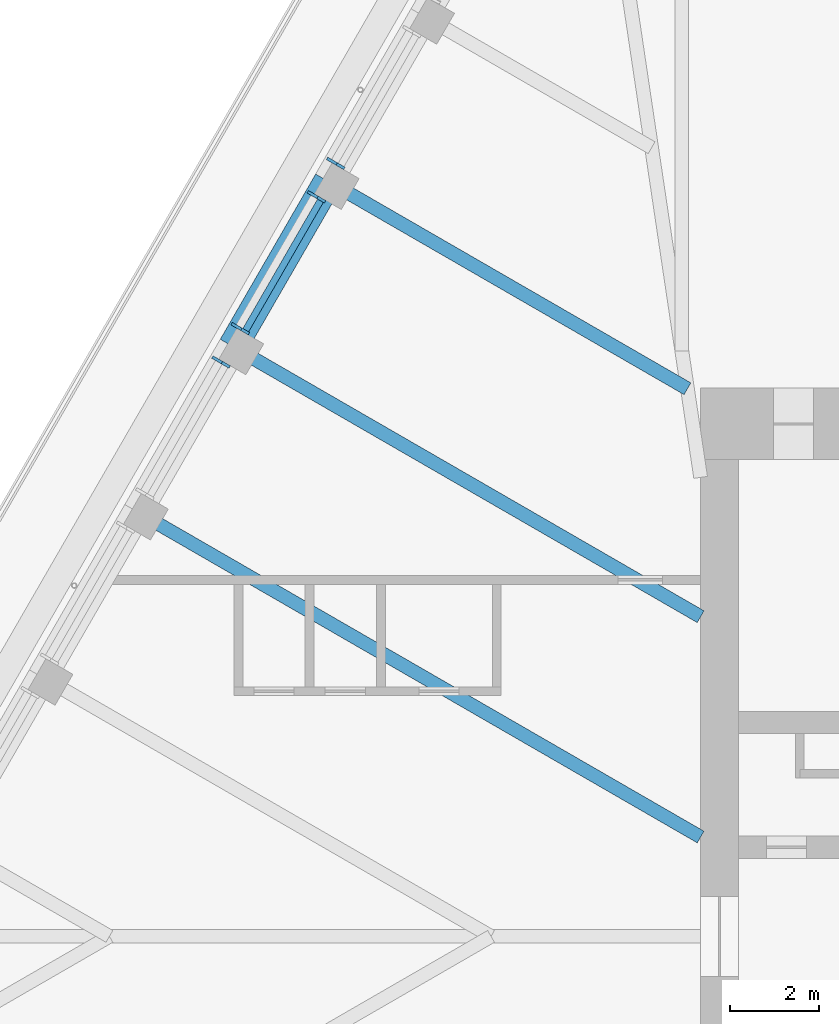
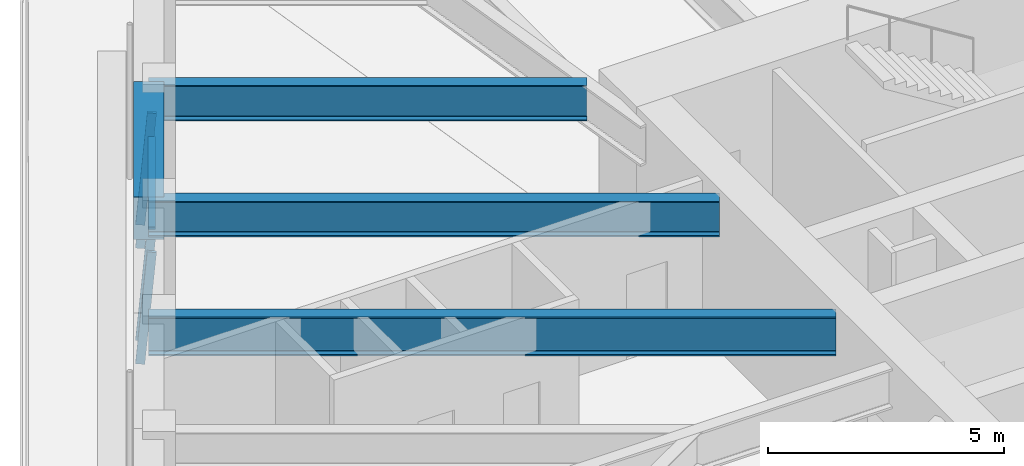
# One storey, part 7 of 20: 5 members, 4 beams, 3 elements without a shape of their own.
"""IFC4 building model written with IfcOpenShell, lengths in metres."""

from ifc_helpers import new_model, si_unit, direction, frame, origin, origin_2d, place, context, subcontext, project, spatial, rectangle, i_section, extrude, material, material_profile, profile_set, type_object, element, aggregate, save


model = new_model("IFC4")

# Units and contexts
model_context = context("Model", 3, precision=1e-05, world=origin(), true_north=direction((0.0, 1.0)))
body_context = subcontext(model_context, "Body", "Model", "MODEL_VIEW")
ifc_project = project(units=[si_unit("LENGTHUNIT", "METRE"), si_unit("AREAUNIT", "SQUARE_METRE"), si_unit("VOLUMEUNIT", "CUBIC_METRE"), si_unit("PLANEANGLEUNIT", "RADIAN"), si_unit("MASSUNIT", "GRAM", prefix="KILO")], contexts=[model_context])

# Site, building, storey
site_placement = place(None, origin())
site = spatial("IfcSite", under=ifc_project, at=site_placement, CompositionType="ELEMENT")
building_placement = place(site_placement, origin())
building = spatial("IfcBuilding", under=site, at=building_placement, Name="Tarfa Lantern Tower", CompositionType="ELEMENT")
storey_placement = place(building_placement, frame((0.0, 0.0, 378.699951171875)))
storey = spatial("IfcBuildingStorey", under=building, at=storey_placement, Name="L86", CompositionType="ELEMENT", Elevation=378.699951171875)

# Curtain wall, member
ifc_material_1 = material(Name="Aluminium framed curtain wall", Category="aluminium")
curtain_wall_type = type_object("IfcCurtainWallType", Name="CW4 CANTED GLAZING EXECUTIVE ZONE 2900", PredefinedType="USERDEFINED", material=ifc_material_1)
curtain_wall_1_placement = place(storey_placement, origin())
curtain_wall_1 = element("IfcCurtainWall", 1, at=curtain_wall_1_placement, inside=storey, type_object=curtain_wall_type, Name="CW4 NW L86", ObjectType="CURTAIN WALL", PredefinedType="USERDEFINED")
ifc_material_2 = material(Name="Aluminium mullion", Category="aluminium")
ifc_material_profile_1 = material_profile(ifc_material_2, rectangle(XDim=0.06494140625, YDim=0.199951171875, at=origin_2d()), Name="AL MULLION 65x200")
ifc_profile_set_1 = profile_set([ifc_material_profile_1], Name="Aluminium mullion")
member_type_1 = type_object("IfcMemberType", Name="CWM1 MULLION 65x200", PredefinedType="MULLION", material=ifc_profile_set_1)
member_1_placement = place(storey_placement, frame((-20.722412109375, 17.407958984375, 0.0), z_axis=(0.074393603155, -0.042941967097, 0.996303959277), x_axis=(0.499919672301, 0.866071776036, 0.0)))
member_1 = element("IfcMember", 2, at=member_1_placement, type_object=member_type_1, Name="CW4 mullion 2", PredefinedType="MULLION", context=body_context, shape_type="SweptSolid", body=[
    extrude(rectangle(XDim=0.06494140625, YDim=0.199951171875, at=origin_2d()), origin(), (0.0, 0.0, 1.0), 2.910888671875),
])
aggregate(curtain_wall_1, [member_1])

# Curtain wall, members
curtain_wall_2_placement = place(storey_placement, origin())
curtain_wall_2 = element("IfcCurtainWall", 3, at=curtain_wall_2_placement, inside=storey, type_object=curtain_wall_type, Name="CW4 NW L86", ObjectType="CURTAIN WALL", PredefinedType="USERDEFINED")
member_2_placement = place(storey_placement, frame((-21.15478515625, 16.65869140625, 0.0), z_axis=(0.074393603155, -0.042941967097, 0.996303959277), x_axis=(0.499919672301, 0.866071776036, 0.0)))
member_2 = element("IfcMember", 4, at=member_2_placement, type_object=member_type_1, Name="CW4 mullion 1", PredefinedType="MULLION", context=body_context, shape_type="SweptSolid", body=[
    extrude(rectangle(XDim=0.06494140625, YDim=0.199951171875, at=origin_2d()), origin(), (0.0, 0.0, 1.0), 2.910888671875),
])
member_3_placement = place(storey_placement, frame((-22.86328125, 13.699462890625, 0.0), z_axis=(0.074393603155, -0.042941967097, 0.996303959277), x_axis=(0.499919672301, 0.866071776036, 0.0)))
member_3 = element("IfcMember", 5, at=member_3_placement, type_object=member_type_1, Name="CW4 mullion 2", PredefinedType="MULLION", context=body_context, shape_type="SweptSolid", body=[
    extrude(rectangle(XDim=0.06494140625, YDim=0.199951171875, at=origin_2d()), origin(), (0.0, 0.0, 1.0), 2.910888671875),
])

# Curtain wall, member
curtain_wall_3_placement = place(storey_placement, origin())
curtain_wall_3 = element("IfcCurtainWall", 6, at=curtain_wall_3_placement, inside=storey, type_object=curtain_wall_type, Name="CW4 NW L86", ObjectType="CURTAIN WALL", PredefinedType="USERDEFINED")
member_4_placement = place(storey_placement, frame((-23.2958984375, 12.950439453125, 0.0), z_axis=(0.074393603155, -0.042941967097, 0.996303959277), x_axis=(0.499919672301, 0.866071776036, 0.0)))
member_4 = element("IfcMember", 7, at=member_4_placement, type_object=member_type_1, Name="CW4 mullion 1", PredefinedType="MULLION", context=body_context, shape_type="SweptSolid", body=[
    extrude(rectangle(XDim=0.06494140625, YDim=0.199951171875, at=origin_2d()), origin(), (0.0, 0.0, 1.0), 2.910888671875),
])
aggregate(curtain_wall_3, [member_4])

# Member
ifc_material_3 = material(Name="Aluminium transom", Category="aluminium")
ifc_material_profile_2 = material_profile(ifc_material_3, rectangle(XDim=0.14990234375, YDim=0.06494140625, at=origin_2d()), Name="AL TRANSOM 150x65")
ifc_profile_set_2 = profile_set([ifc_material_profile_2], Name="Aluminium transom")
member_type_2 = type_object("IfcMemberType", Name="CWT1 TRANSOM 150x65", PredefinedType="USERDEFINED", material=ifc_profile_set_2)
member_5_placement = place(storey_placement, frame((-20.95703125, 16.507080078125, 2.867431640625), z_axis=(-0.499985139611, -0.866033983264, 0.0), x_axis=(0.866033983264, -0.499985139611, 0.0)))
member_5 = element("IfcMember", 8, at=member_5_placement, type_object=member_type_2, Name="CW4 transom 1.2", ObjectType="TRANSOM", PredefinedType="USERDEFINED", context=body_context, shape_type="SweptSolid", body=[
    extrude(rectangle(XDim=0.14990234375, YDim=0.06494140625, at=origin_2d()), origin(), (0.0, 0.0, 1.0), 3.35205078125),
])

aggregate(curtain_wall_2, [member_2, member_3, member_5])

# Beams
ifc_material_4 = material(Name="Concrete C80/95", Category="concrete")
ifc_material_profile_3 = material_profile(ifc_material_4, rectangle(XDim=0.64990234375, YDim=1.10009765625, at=origin_2d()), Name="RC 650x1100")
ifc_profile_set_3 = profile_set([ifc_material_profile_3], Name="Concrete C80/95")
beam_type_1 = type_object("IfcBeamType", Name="EB4 RC 650x1100", PredefinedType="SPANDREL", material=ifc_profile_set_3)
beam_1_placement = place(storey_placement, frame((-20.78271484375, 16.943359375, 3.449951171875), z_axis=(-0.499984039138, -0.866034618596, 0.0), x_axis=(0.866034618596, -0.499984039138, 0.0)))
element("IfcBeam", 9, at=beam_1_placement, inside=storey, type_object=beam_type_1, Name="Edge beam NW2", PredefinedType="SPANDREL", context=body_context, shape_type="SweptSolid", body=[
    extrude(rectangle(XDim=0.64990234375, YDim=1.10009765625, at=origin_2d()), origin(), (0.0, 0.0, 1.0), 4.281982421875),
])
ifc_material_5 = material(Name="Steel S460M", Category="steel")
ifc_material_profile_4 = material_profile(ifc_material_5, i_section(OverallWidth=0.302001953125, OverallDepth=1.008056640625, WebThickness=0.02099609375, FlangeThickness=0.0400390625, FilletRadius=0.030029296875, at=origin_2d()), Name="UB1016x305x349")
ifc_profile_set_4 = profile_set([ifc_material_profile_4], Name="Steel S460M")
beam_type_2 = type_object("IfcBeamType", Name="UB1016x305x349", PredefinedType="BEAM", material=ifc_profile_set_4)
beam_2_placement = place(storey_placement, frame((-25.064697265625, 9.526611328125, 3.49609375), z_axis=(0.866029591389, -0.499992746786, 0.0), x_axis=(0.499992746786, 0.866029591389, 0.0)))
element("IfcBeam", 10, at=beam_2_placement, inside=storey, type_object=beam_type_2, Name="Floor beam NW4", PredefinedType="BEAM", context=body_context, shape_type="SweptSolid", body=[
    extrude(i_section(OverallWidth=0.302001953125, OverallDepth=1.008056640625, WebThickness=0.02099609375, FlangeThickness=0.0400390625, FilletRadius=0.030029296875, at=origin_2d()), origin(), (0.0, 0.0, 1.0), 14.594970703125),
])
ifc_material_profile_5 = material_profile(ifc_material_5, i_section(OverallWidth=0.305419921875, OverallDepth=0.91845703125, WebThickness=0.017333984375, FlangeThickness=0.02783203125, FilletRadius=0.01904296875, at=origin_2d()), Name="UB914x305x253")
ifc_profile_set_5 = profile_set([ifc_material_profile_5], Name="Steel S460M")
beam_type_3 = type_object("IfcBeamType", Name="UB914x305x253", PredefinedType="BEAM", material=ifc_profile_set_5)
beam_3_placement = place(storey_placement, frame((-20.78271484375, 16.943359375, 3.540771484375), z_axis=(0.866021806508, -0.500006230613, 0.0), x_axis=(0.500006230613, 0.866021806508, 0.0)))
element("IfcBeam", 11, at=beam_3_placement, inside=storey, type_object=beam_type_3, Name="Floor beam NW2", PredefinedType="BEAM", context=body_context, shape_type="SweptSolid", body=[
    extrude(i_section(OverallWidth=0.305419921875, OverallDepth=0.91845703125, WebThickness=0.017333984375, FlangeThickness=0.02783203125, FilletRadius=0.01904296875, at=origin_2d()), origin(), (0.0, 0.0, 1.0), 9.30908203125),
])
beam_4_placement = place(storey_placement, frame((-22.923583984375, 13.235107421875, 3.540771484375), z_axis=(0.86601856927, -0.500011837539, 0.0), x_axis=(0.500011837539, 0.86601856927, 0.0)))
element("IfcBeam", 12, at=beam_4_placement, inside=storey, type_object=beam_type_3, Name="Floor beam NW3", PredefinedType="BEAM", context=body_context, shape_type="SweptSolid", body=[
    extrude(i_section(OverallWidth=0.305419921875, OverallDepth=0.91845703125, WebThickness=0.017333984375, FlangeThickness=0.02783203125, FilletRadius=0.01904296875, at=origin_2d()), origin(), (0.0, 0.0, 1.0), 12.122802734375),
])

save(model, "model.ifc")
